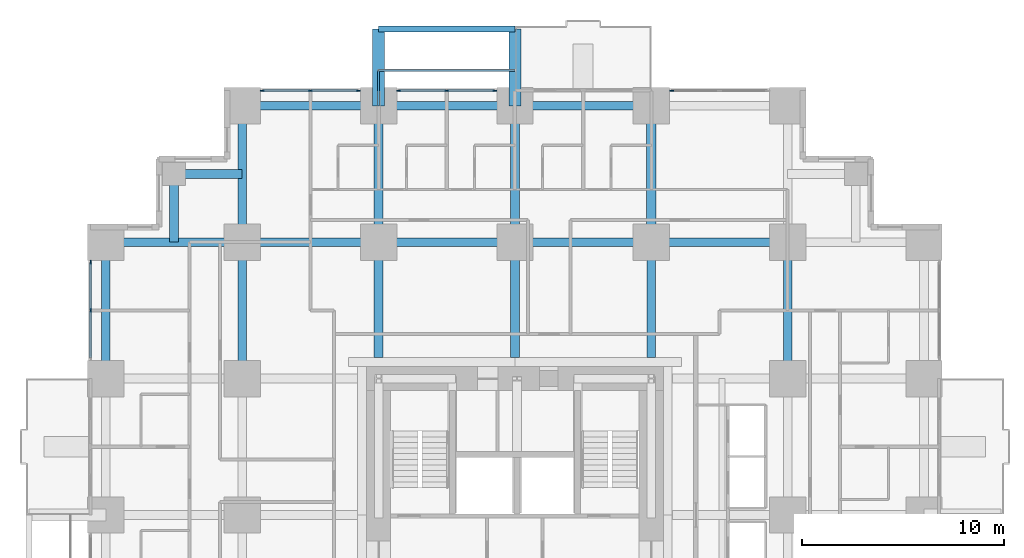
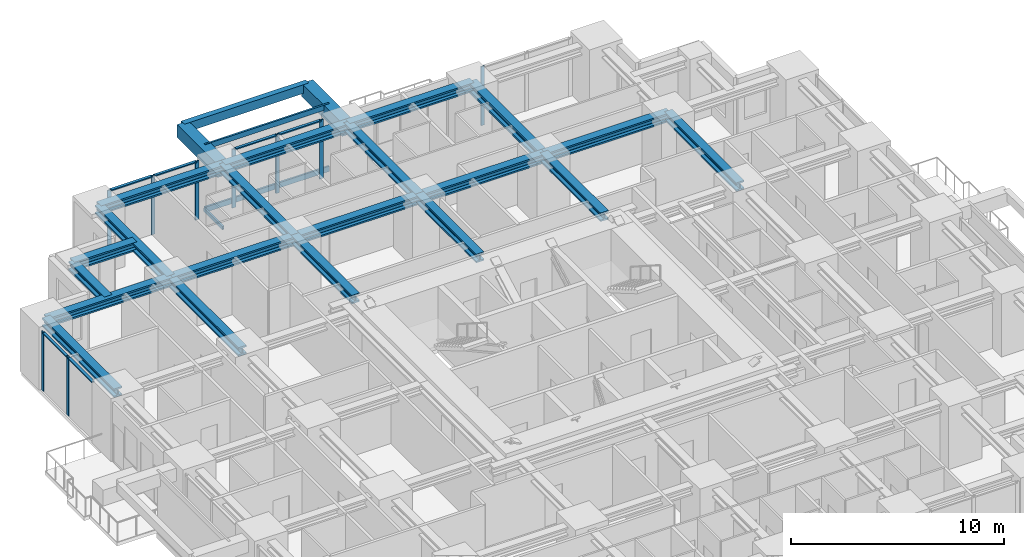
# One storey, part 5 of 14: 23 beams, 18 members, 4 elements without a shape of their own.
"""IFC4 building model written with IfcOpenShell, lengths in metres."""

from ifc_helpers import new_model, si_unit, direction, frame, origin, origin_2d, place, context, subcontext, project, spatial, rectangle, hollow_rectangle, i_section, extrude, material, material_profile, profile_set, type_object, element, aggregate, save


model = new_model("IFC4")

# Units and contexts
model_context = context("Model", 3, precision=1e-05, world=origin(), true_north=direction((0.0, 1.0)))
body_context = subcontext(model_context, "Body", "Model", "MODEL_VIEW")
ifc_project = project(units=[si_unit("LENGTHUNIT", "METRE"), si_unit("AREAUNIT", "SQUARE_METRE"), si_unit("VOLUMEUNIT", "CUBIC_METRE"), si_unit("PLANEANGLEUNIT", "RADIAN"), si_unit("MASSUNIT", "GRAM", prefix="KILO")], contexts=[model_context])

# Site, building, storey
site_placement = place(None, origin())
site = spatial("IfcSite", under=ifc_project, at=site_placement, CompositionType="ELEMENT")
building_placement = place(site_placement, origin())
building = spatial("IfcBuilding", under=site, at=building_placement, Name="Nyansa Garden Tower", CompositionType="ELEMENT")
storey_placement = place(building_placement, frame((0.0, 0.0, 64.800048828125)))
storey = spatial("IfcBuildingStorey", under=building, at=storey_placement, Name="L17", CompositionType="ELEMENT", Elevation=64.800048828125)

# Beams
ifc_material_1 = material(Name="Concrete C70/85", Category="concrete")
ifc_material_profile_1 = material_profile(ifc_material_1, rectangle(XDim=0.60009765625, YDim=0.75, at=origin_2d()), Name="RC 600x750")
ifc_profile_set_1 = profile_set([ifc_material_profile_1], Name="Concrete C70/85")
beam_type_1 = type_object("IfcBeamType", Name="Balcony cantilever beam CB1 RC 600x750", PredefinedType="BEAM", material=ifc_profile_set_1)
for number, where, z_axis, x_axis, name in (
    (1, (13.5, 40.5, 2.98486328125), (0.0, 1.0, 0.0), (-1.0, 0.0, 0.0), "Balcony cantilever beam L18"),
    (2, (20.25, 40.5, 2.98486328125), (0.0, 1.0, 0.0), (-1.0, 0.0, 0.0), "Balcony cantilever beam L18"),
):
    element("IfcBeam", number, at=place(storey_placement, frame(where, z_axis=z_axis, x_axis=x_axis)), inside=storey, type_object=beam_type_1, Name=name, PredefinedType="BEAM", context=body_context, shape_type="SweptSolid", body=[
        extrude(rectangle(XDim=0.60009765625, YDim=0.75, at=origin_2d()), origin(), (0.0, 0.0, 1.0), 3.800048828125),
    ])
ifc_material_2 = material(Name="Concrete C70/85", Category="concrete")
ifc_material_profile_2 = material_profile(ifc_material_2, rectangle(XDim=0.300048828125, YDim=0.5, at=origin_2d()), Name="RC 300x500")
ifc_profile_set_2 = profile_set([ifc_material_profile_2], Name="Concrete C70/85")
beam_type_2 = type_object("IfcBeamType", Name="Balcony edge beam BE1 RC 300x500", PredefinedType="BEAM", material=ifc_profile_set_2)
beam_1_placement = place(storey_placement, frame((13.5, 44.300048828125, 3.10986328125), z_axis=(1.0, 0.0, 0.0), x_axis=(0.0, 1.0, 0.0)))
element("IfcBeam", 3, at=beam_1_placement, inside=storey, type_object=beam_type_2, Name="Balcony edge beam L18", PredefinedType="BEAM", context=body_context, shape_type="SweptSolid", body=[
    extrude(rectangle(XDim=0.300048828125, YDim=0.5, at=origin_2d()), origin(), (0.0, 0.0, 1.0), 6.75),
])

# Curtain wall, members
ifc_material_3 = material(Name="Black anodised aluminium, dark tinted double glazing", Category="aluminium")
curtain_wall_type = type_object("IfcCurtainWallType", Name="Inner skin curtain wall ISW-A", PredefinedType="USERDEFINED", material=ifc_material_3)
curtain_wall_1_placement = place(storey_placement, origin())
curtain_wall_1 = element("IfcCurtainWall", 4, at=curtain_wall_1_placement, inside=storey, type_object=curtain_wall_type, Name="Inner skin curtain wall L17 N", ObjectType="UNITISED CURTAIN WALL", PredefinedType="USERDEFINED")
ifc_material_4 = material(Name="Black anodised aluminium", Category="aluminium")
ifc_material_profile_3 = material_profile(ifc_material_4, rectangle(XDim=0.06494140625, YDim=0.199951171875, at=origin_2d()), Name="Mullion 200x65")
ifc_profile_set_3 = profile_set([ifc_material_profile_3], Name="Black anodised aluminium")
member_type_1 = type_object("IfcMemberType", Name="Mullion ISW-A 200x65", PredefinedType="MULLION", material=ifc_profile_set_3)
member_1_placement = place(storey_placement, frame((19.25, 41.25, 0.0), z_axis=(0.0, 0.0, 1.0), x_axis=(0.0, -1.0, 0.0)))
member_1 = element("IfcMember", 5, at=member_1_placement, type_object=member_type_1, Name="ISW-A mullion 1", PredefinedType="MULLION", context=body_context, shape_type="SweptSolid", body=[
    extrude(rectangle(XDim=0.06494140625, YDim=0.199951171875, at=origin_2d()), origin(), (0.0, 0.0, 1.0), 3.375),
])
member_2_placement = place(storey_placement, frame((16.875, 41.25, 0.0), z_axis=(0.0, 0.0, 1.0), x_axis=(0.0, -1.0, 0.0)))
member_2 = element("IfcMember", 6, at=member_2_placement, type_object=member_type_1, Name="ISW-A mullion 2", PredefinedType="MULLION", context=body_context, shape_type="SweptSolid", body=[
    extrude(rectangle(XDim=0.06494140625, YDim=0.199951171875, at=origin_2d()), origin(), (0.0, 0.0, 1.0), 3.375),
])
member_3_placement = place(storey_placement, frame((14.5, 41.25, 0.0), z_axis=(0.0, 0.0, 1.0), x_axis=(0.0, -1.0, 0.0)))
member_3 = element("IfcMember", 7, at=member_3_placement, type_object=member_type_1, Name="ISW-A mullion 3", PredefinedType="MULLION", context=body_context, shape_type="SweptSolid", body=[
    extrude(rectangle(XDim=0.06494140625, YDim=0.199951171875, at=origin_2d()), origin(), (0.0, 0.0, 1.0), 3.375),
])

curtain_wall_2_placement = place(storey_placement, origin())
curtain_wall_2 = element("IfcCurtainWall", 8, at=curtain_wall_2_placement, inside=storey, type_object=curtain_wall_type, Name="Inner skin curtain wall L17 N", ObjectType="UNITISED CURTAIN WALL", PredefinedType="USERDEFINED")
member_4_placement = place(storey_placement, frame((12.5, 41.25, 0.0), z_axis=(0.0, 0.0, 1.0), x_axis=(0.0, -1.0, 0.0)))
member_4 = element("IfcMember", 9, at=member_4_placement, type_object=member_type_1, Name="ISW-A mullion 1", PredefinedType="MULLION", context=body_context, shape_type="SweptSolid", body=[
    extrude(rectangle(XDim=0.06494140625, YDim=0.199951171875, at=origin_2d()), origin(), (0.0, 0.0, 1.0), 3.375),
])
member_5_placement = place(storey_placement, frame((10.125, 41.25, 0.0), z_axis=(0.0, 0.0, 1.0), x_axis=(0.0, -1.0, 0.0)))
member_5 = element("IfcMember", 10, at=member_5_placement, type_object=member_type_1, Name="ISW-A mullion 2", PredefinedType="MULLION", context=body_context, shape_type="SweptSolid", body=[
    extrude(rectangle(XDim=0.06494140625, YDim=0.199951171875, at=origin_2d()), origin(), (0.0, 0.0, 1.0), 3.375),
])
member_6_placement = place(storey_placement, frame((7.75, 41.25, 0.0), z_axis=(0.0, 0.0, 1.0), x_axis=(0.0, -1.0, 0.0)))
member_6 = element("IfcMember", 11, at=member_6_placement, type_object=member_type_1, Name="ISW-A mullion 3", PredefinedType="MULLION", context=body_context, shape_type="SweptSolid", body=[
    extrude(rectangle(XDim=0.06494140625, YDim=0.199951171875, at=origin_2d()), origin(), (0.0, 0.0, 1.0), 3.375),
])

# Curtain wall, member
curtain_wall_3_placement = place(storey_placement, origin())
curtain_wall_3 = element("IfcCurtainWall", 12, at=curtain_wall_3_placement, inside=storey, type_object=curtain_wall_type, Name="Inner skin curtain wall L17 N", ObjectType="UNITISED CURTAIN WALL", PredefinedType="USERDEFINED")
member_7_placement = place(storey_placement, frame((28.0, 41.25, 0.0), z_axis=(0.0, 0.0, 1.0), x_axis=(0.0, -1.0, 0.0)))
member_7 = element("IfcMember", 13, at=member_7_placement, type_object=member_type_1, Name="ISW-A mullion 3", PredefinedType="MULLION", context=body_context, shape_type="SweptSolid", body=[
    extrude(rectangle(XDim=0.06494140625, YDim=0.199951171875, at=origin_2d()), origin(), (0.0, 0.0, 1.0), 3.375),
])
aggregate(curtain_wall_3, [member_7])

# Curtain wall, members
curtain_wall_4_placement = place(storey_placement, origin())
curtain_wall_4 = element("IfcCurtainWall", 14, at=curtain_wall_4_placement, inside=storey, type_object=curtain_wall_type, Name="Inner skin curtain wall L17 W", ObjectType="UNITISED CURTAIN WALL", PredefinedType="USERDEFINED")
member_8_placement = place(storey_placement, frame((-0.75, 32.75, 0.0), z_axis=(0.0, 0.0, 1.0), x_axis=(1.0, 0.0, 0.0)))
member_8 = element("IfcMember", 15, at=member_8_placement, type_object=member_type_1, Name="ISW-A mullion 1", PredefinedType="MULLION", context=body_context, shape_type="SweptSolid", body=[
    extrude(rectangle(XDim=0.06494140625, YDim=0.199951171875, at=origin_2d()), origin(), (0.0, 0.0, 1.0), 3.375),
])
member_9_placement = place(storey_placement, frame((-0.75, 30.375, 0.0), z_axis=(0.0, 0.0, 1.0), x_axis=(1.0, 0.0, 0.0)))
member_9 = element("IfcMember", 16, at=member_9_placement, type_object=member_type_1, Name="ISW-A mullion 2", PredefinedType="MULLION", context=body_context, shape_type="SweptSolid", body=[
    extrude(rectangle(XDim=0.06494140625, YDim=0.199951171875, at=origin_2d()), origin(), (0.0, 0.0, 1.0), 3.375),
])

# Members
ifc_material_5 = material(Name="Steel S355, black powder coated", Category="steel")
ifc_material_profile_4 = material_profile(ifc_material_5, hollow_rectangle(XDim=0.10009765625, YDim=0.199951171875, WallThickness=0.008056640625, at=origin_2d()), Name="RHS 200x100x8")
ifc_profile_set_4 = profile_set([ifc_material_profile_4], Name="Steel S355, black powder coated")
member_type_2 = type_object("IfcMemberType", Name="Outer skin bracket arm RHS 200x100x8", PredefinedType="USERDEFINED", material=ifc_profile_set_4)
member_10_placement = place(storey_placement, frame((13.5, 40.5, -0.375), z_axis=(0.0, 1.0, 0.0), x_axis=(-1.0, 0.0, 0.0)))
element("IfcMember", 17, at=member_10_placement, inside=storey, type_object=member_type_2, Name="Outer skin bracket arm", ObjectType="OUTER SKIN BRACKET", PredefinedType="USERDEFINED", context=body_context, shape_type="SweptSolid", body=[
    extrude(hollow_rectangle(XDim=0.10009765625, YDim=0.199951171875, WallThickness=0.008056640625, at=origin_2d()), origin(), (0.0, 0.0, 1.0), 1.75),
])
ifc_material_6 = material(Name="Steel S355, black powder coated", Category="steel")
ifc_material_profile_5 = material_profile(ifc_material_6, hollow_rectangle(XDim=0.10009765625, YDim=0.300048828125, WallThickness=0.010009765625, at=origin_2d()), Name="RHS 300x100x10")
ifc_profile_set_5 = profile_set([ifc_material_profile_5], Name="Steel S355, black powder coated")
member_type_3 = type_object("IfcMemberType", Name="Outer skin rail RHS 300x100x10", PredefinedType="USERDEFINED", material=ifc_profile_set_5)
for number, where, z_axis, x_axis, name in (
    (18, (13.5, 42.25, -0.375), (1.0, 0.0, 0.0), (0.0, 1.0, 0.0), "Outer skin rail L17"),
    (19, (13.5, 42.25, 3.224853515625), (1.0, 0.0, 0.0), (0.0, 1.0, 0.0), "Outer skin rail L17 head"),
):
    element("IfcMember", number, at=place(storey_placement, frame(where, z_axis=z_axis, x_axis=x_axis)), inside=storey, type_object=member_type_3, Name=name, ObjectType="OUTER SKIN RAIL", PredefinedType="USERDEFINED", context=body_context, shape_type="SweptSolid", body=[
        extrude(hollow_rectangle(XDim=0.10009765625, YDim=0.300048828125, WallThickness=0.010009765625, at=origin_2d()), origin(), (0.0, 0.0, 1.0), 6.75),
    ])

# Beams
ifc_material_7 = material(Name="Steel S355", Category="steel")
ifc_material_profile_6 = material_profile(ifc_material_7, i_section(OverallWidth=0.4541015625, OverallDepth=0.569091796875, WebThickness=0.077880859375, FlangeThickness=0.125, FilletRadius=0.014892578125, at=origin_2d()), Name="HD 400x1086")
ifc_profile_set_6 = profile_set([ifc_material_profile_6], Name="Steel S355")
beam_type_3 = type_object("IfcBeamType", Name="Steel beam SBA1-1086 HD 400x1086", PredefinedType="BEAM", material=ifc_profile_set_6)
beam_2_placement = place(storey_placement, frame((27.0, 33.75, 3.09033203125), z_axis=(0.0, 1.0, 0.0), x_axis=(-1.0, 0.0, 0.0)))
element("IfcBeam", 20, at=beam_2_placement, inside=storey, type_object=beam_type_3, Name="Steel beam 6/J-6/K L18", PredefinedType="BEAM", context=body_context, shape_type="SweptSolid", body=[
    extrude(i_section(OverallWidth=0.4541015625, OverallDepth=0.569091796875, WebThickness=0.077880859375, FlangeThickness=0.125, FilletRadius=0.014892578125, at=origin_2d()), origin(), (0.0, 0.0, 1.0), 6.75),
])
ifc_material_8 = material(Name="Steel S355", Category="steel")
ifc_material_profile_7 = material_profile(ifc_material_8, i_section(OverallWidth=0.431884765625, OverallDepth=0.498046875, WebThickness=0.0556640625, FlangeThickness=0.0888671875, FilletRadius=0.014892578125, at=origin_2d()), Name="HD 400x744")
ifc_profile_set_7 = profile_set([ifc_material_profile_7], Name="Steel S355")
beam_type_4 = type_object("IfcBeamType", Name="Steel beam SBA1-744 HD 400x744", PredefinedType="BEAM", material=ifc_profile_set_7)
for number, where, z_axis, x_axis, name in (
    (21, (0.0, 33.75, 3.1259765625), (1.0, 0.0, 0.0), (0.0, 1.0, 0.0), "Steel beam 2/J-3/J L18"),
    (22, (6.75, 27.0, 3.1259765625), (0.0, 1.0, 0.0), (-1.0, 0.0, 0.0), "Steel beam 3/H-3/J L18"),
    (23, (6.75, 33.75, 3.1259765625), (0.0, 1.0, 0.0), (-1.0, 0.0, 0.0), "Steel beam 3/J-3/K L18"),
    (24, (6.75, 33.75, 3.1259765625), (1.0, 0.0, 0.0), (0.0, 1.0, 0.0), "Steel beam 3/J-4/J L18"),
):
    element("IfcBeam", number, at=place(storey_placement, frame(where, z_axis=z_axis, x_axis=x_axis)), inside=storey, type_object=beam_type_4, Name=name, PredefinedType="BEAM", context=body_context, shape_type="SweptSolid", body=[
        extrude(i_section(OverallWidth=0.431884765625, OverallDepth=0.498046875, WebThickness=0.0556640625, FlangeThickness=0.0888671875, FilletRadius=0.014892578125, at=origin_2d()), origin(), (0.0, 0.0, 1.0), 6.75),
    ])
beam_3_placement = place(storey_placement, frame((13.5, 28.050048828125, 3.1259765625), z_axis=(0.0, 1.0, 0.0), x_axis=(-1.0, 0.0, 0.0)))
element("IfcBeam", 25, at=beam_3_placement, inside=storey, type_object=beam_type_4, Name="Steel beam 4/28.050-4/J L18", PredefinedType="BEAM", context=body_context, shape_type="SweptSolid", body=[
    extrude(i_section(OverallWidth=0.431884765625, OverallDepth=0.498046875, WebThickness=0.0556640625, FlangeThickness=0.0888671875, FilletRadius=0.014892578125, at=origin_2d()), origin(), (0.0, 0.0, 1.0), 5.699951171875),
])
for number, where, z_axis, x_axis, name in (
    (26, (13.5, 33.75, 3.1259765625), (0.0, 1.0, 0.0), (-1.0, 0.0, 0.0), "Steel beam 4/J-4/K L18"),
    (27, (13.5, 33.75, 3.1259765625), (1.0, 0.0, 0.0), (0.0, 1.0, 0.0), "Steel beam 4/J-5/J L18"),
):
    element("IfcBeam", number, at=place(storey_placement, frame(where, z_axis=z_axis, x_axis=x_axis)), inside=storey, type_object=beam_type_4, Name=name, PredefinedType="BEAM", context=body_context, shape_type="SweptSolid", body=[
        extrude(i_section(OverallWidth=0.431884765625, OverallDepth=0.498046875, WebThickness=0.0556640625, FlangeThickness=0.0888671875, FilletRadius=0.014892578125, at=origin_2d()), origin(), (0.0, 0.0, 1.0), 6.75),
    ])
beam_4_placement = place(storey_placement, frame((20.25, 28.050048828125, 3.1259765625), z_axis=(0.0, 1.0, 0.0), x_axis=(-1.0, 0.0, 0.0)))
element("IfcBeam", 28, at=beam_4_placement, inside=storey, type_object=beam_type_4, Name="Steel beam 5/28.050-5/J L18", PredefinedType="BEAM", context=body_context, shape_type="SweptSolid", body=[
    extrude(i_section(OverallWidth=0.431884765625, OverallDepth=0.498046875, WebThickness=0.0556640625, FlangeThickness=0.0888671875, FilletRadius=0.014892578125, at=origin_2d()), origin(), (0.0, 0.0, 1.0), 5.699951171875),
])
for number, where, z_axis, x_axis, name in (
    (29, (20.25, 33.75, 3.1259765625), (0.0, 1.0, 0.0), (-1.0, 0.0, 0.0), "Steel beam 5/J-5/K L18"),
    (30, (20.25, 33.75, 3.1259765625), (1.0, 0.0, 0.0), (0.0, 1.0, 0.0), "Steel beam 5/J-6/J L18"),
):
    element("IfcBeam", number, at=place(storey_placement, frame(where, z_axis=z_axis, x_axis=x_axis)), inside=storey, type_object=beam_type_4, Name=name, PredefinedType="BEAM", context=body_context, shape_type="SweptSolid", body=[
        extrude(i_section(OverallWidth=0.431884765625, OverallDepth=0.498046875, WebThickness=0.0556640625, FlangeThickness=0.0888671875, FilletRadius=0.014892578125, at=origin_2d()), origin(), (0.0, 0.0, 1.0), 6.75),
    ])
beam_5_placement = place(storey_placement, frame((27.0, 28.050048828125, 3.1259765625), z_axis=(0.0, 1.0, 0.0), x_axis=(-1.0, 0.0, 0.0)))
element("IfcBeam", 31, at=beam_5_placement, inside=storey, type_object=beam_type_4, Name="Steel beam 6/28.050-6/J L18", PredefinedType="BEAM", context=body_context, shape_type="SweptSolid", body=[
    extrude(i_section(OverallWidth=0.431884765625, OverallDepth=0.498046875, WebThickness=0.0556640625, FlangeThickness=0.0888671875, FilletRadius=0.014892578125, at=origin_2d()), origin(), (0.0, 0.0, 1.0), 5.699951171875),
])
for number, where, z_axis, x_axis, name in (
    (32, (27.0, 33.75, 3.1259765625), (1.0, 0.0, 0.0), (0.0, 1.0, 0.0), "Steel beam 6/J-7/J L18"),
    (33, (33.75, 27.0, 3.1259765625), (0.0, 1.0, 0.0), (-1.0, 0.0, 0.0), "Steel beam 7/H-7/J L18"),
):
    element("IfcBeam", number, at=place(storey_placement, frame(where, z_axis=z_axis, x_axis=x_axis)), inside=storey, type_object=beam_type_4, Name=name, PredefinedType="BEAM", context=body_context, shape_type="SweptSolid", body=[
        extrude(i_section(OverallWidth=0.431884765625, OverallDepth=0.498046875, WebThickness=0.0556640625, FlangeThickness=0.0888671875, FilletRadius=0.014892578125, at=origin_2d()), origin(), (0.0, 0.0, 1.0), 6.75),
    ])
ifc_material_9 = material(Name="Steel S355", Category="steel")
ifc_material_profile_8 = material_profile(ifc_material_9, i_section(OverallWidth=0.431884765625, OverallDepth=0.498046875, WebThickness=0.0556640625, FlangeThickness=0.0888671875, FilletRadius=0.014892578125, at=origin_2d()), Name="HD 400x744")
ifc_profile_set_8 = profile_set([ifc_material_profile_8], Name="Steel S355")
beam_type_5 = type_object("IfcBeamType", Name="Steel beam SEBA-744 HD 400x744", PredefinedType="BEAM", material=ifc_profile_set_8)
for number, where, z_axis, x_axis, name in (
    (34, (0.0, 27.0, 3.1259765625), (0.0, 1.0, 0.0), (-1.0, 0.0, 0.0), "Steel edge beam 2/H-2/J L18"),
    (35, (6.75, 40.5, 3.1259765625), (1.0, 0.0, 0.0), (0.0, 1.0, 0.0), "Steel edge beam 3/K-4/K L18"),
    (36, (13.5, 40.5, 3.1259765625), (1.0, 0.0, 0.0), (0.0, 1.0, 0.0), "Steel edge beam 4/K-5/K L18"),
    (37, (20.25, 40.5, 3.1259765625), (1.0, 0.0, 0.0), (0.0, 1.0, 0.0), "Steel edge beam 5/K-6/K L18"),
):
    element("IfcBeam", number, at=place(storey_placement, frame(where, z_axis=z_axis, x_axis=x_axis)), inside=storey, type_object=beam_type_5, Name=name, PredefinedType="BEAM", context=body_context, shape_type="SweptSolid", body=[
        extrude(i_section(OverallWidth=0.431884765625, OverallDepth=0.498046875, WebThickness=0.0556640625, FlangeThickness=0.0888671875, FilletRadius=0.014892578125, at=origin_2d()), origin(), (0.0, 0.0, 1.0), 6.75),
    ])
ifc_material_10 = material(Name="Steel S355", Category="steel")
ifc_material_profile_9 = material_profile(ifc_material_10, i_section(OverallWidth=0.431884765625, OverallDepth=0.498046875, WebThickness=0.0556640625, FlangeThickness=0.0888671875, FilletRadius=0.014892578125, at=origin_2d()), Name="HD 400x744")
ifc_profile_set_9 = profile_set([ifc_material_profile_9], Name="Steel S355")
beam_type_6 = type_object("IfcBeamType", Name="Steel beam SSB1-744 HD 400x744", PredefinedType="BEAM", material=ifc_profile_set_9)
for number, where, z_axis, x_axis, name in (
    (38, (3.375, 37.125, 3.1259765625), (0.0, -1.0, 0.0), (1.0, 0.0, 0.0), "Steel step beam 3.375/37.125 L18"),
    (39, (3.375, 37.125, 3.1259765625), (1.0, 0.0, 0.0), (0.0, 1.0, 0.0), "Steel step beam 3.375/37.125 L18"),
):
    element("IfcBeam", number, at=place(storey_placement, frame(where, z_axis=z_axis, x_axis=x_axis)), inside=storey, type_object=beam_type_6, Name=name, PredefinedType="BEAM", context=body_context, shape_type="SweptSolid", body=[
        extrude(i_section(OverallWidth=0.431884765625, OverallDepth=0.498046875, WebThickness=0.0556640625, FlangeThickness=0.0888671875, FilletRadius=0.014892578125, at=origin_2d()), origin(), (0.0, 0.0, 1.0), 3.375),
    ])

# Member
ifc_material_11 = material(Name="Black anodised aluminium", Category="aluminium")
ifc_material_profile_10 = material_profile(ifc_material_11, rectangle(XDim=0.14990234375, YDim=0.06494140625, at=origin_2d()), Name="Transom 150x65")
ifc_profile_set_10 = profile_set([ifc_material_profile_10], Name="Black anodised aluminium")
member_type_4 = type_object("IfcMemberType", Name="Transom ISW-A 150x65", PredefinedType="USERDEFINED", material=ifc_profile_set_10)
member_11_placement = place(storey_placement, frame((19.217529296875, 41.25, 3.342529296875), z_axis=(-1.0, 0.0, 0.0), x_axis=(0.0, -1.0, 0.0)))
member_11 = element("IfcMember", 40, at=member_11_placement, type_object=member_type_4, Name="ISW-A transom 1", ObjectType="TRANSOM", PredefinedType="USERDEFINED", context=body_context, shape_type="SweptSolid", body=[
    extrude(rectangle(XDim=0.14990234375, YDim=0.06494140625, at=origin_2d()), origin(), (0.0, 0.0, 1.0), 2.31005859375),
])

member_12_placement = place(storey_placement, frame((16.842529296875, 41.25, 3.342529296875), z_axis=(-1.0, 0.0, 0.0), x_axis=(0.0, -1.0, 0.0)))
member_12 = element("IfcMember", 41, at=member_12_placement, type_object=member_type_4, Name="ISW-A transom 2", ObjectType="TRANSOM", PredefinedType="USERDEFINED", context=body_context, shape_type="SweptSolid", body=[
    extrude(rectangle(XDim=0.14990234375, YDim=0.06494140625, at=origin_2d()), origin(), (0.0, 0.0, 1.0), 2.31005859375),
])

aggregate(curtain_wall_1, [member_1, member_2, member_3, member_11, member_12])

member_13_placement = place(storey_placement, frame((12.467529296875, 41.25, 3.342529296875), z_axis=(-1.0, 0.0, 0.0), x_axis=(0.0, -1.0, 0.0)))
member_13 = element("IfcMember", 42, at=member_13_placement, type_object=member_type_4, Name="ISW-A transom 1", ObjectType="TRANSOM", PredefinedType="USERDEFINED", context=body_context, shape_type="SweptSolid", body=[
    extrude(rectangle(XDim=0.14990234375, YDim=0.06494140625, at=origin_2d()), origin(), (0.0, 0.0, 1.0), 2.31005859375),
])

member_14_placement = place(storey_placement, frame((10.092529296875, 41.25, 3.342529296875), z_axis=(-1.0, 0.0, 0.0), x_axis=(0.0, -1.0, 0.0)))
member_14 = element("IfcMember", 43, at=member_14_placement, type_object=member_type_4, Name="ISW-A transom 2", ObjectType="TRANSOM", PredefinedType="USERDEFINED", context=body_context, shape_type="SweptSolid", body=[
    extrude(rectangle(XDim=0.14990234375, YDim=0.06494140625, at=origin_2d()), origin(), (0.0, 0.0, 1.0), 2.31005859375),
])

aggregate(curtain_wall_2, [member_4, member_5, member_6, member_13, member_14])

member_15_placement = place(storey_placement, frame((-0.75, 32.717529296875, 3.342529296875), z_axis=(0.0, -1.0, 0.0), x_axis=(1.0, 0.0, 0.0)))
member_15 = element("IfcMember", 44, at=member_15_placement, type_object=member_type_4, Name="ISW-A transom 1", ObjectType="TRANSOM", PredefinedType="USERDEFINED", context=body_context, shape_type="SweptSolid", body=[
    extrude(rectangle(XDim=0.14990234375, YDim=0.06494140625, at=origin_2d()), origin(), (0.0, 0.0, 1.0), 2.31005859375),
])

member_16_placement = place(storey_placement, frame((-0.75, 30.342529296875, 3.342529296875), z_axis=(0.0, -1.0, 0.0), x_axis=(1.0, 0.0, 0.0)))
member_16 = element("IfcMember", 45, at=member_16_placement, type_object=member_type_4, Name="ISW-A transom 2", ObjectType="TRANSOM", PredefinedType="USERDEFINED", context=body_context, shape_type="SweptSolid", body=[
    extrude(rectangle(XDim=0.14990234375, YDim=0.06494140625, at=origin_2d()), origin(), (0.0, 0.0, 1.0), 2.31005859375),
])

aggregate(curtain_wall_4, [member_8, member_9, member_15, member_16])

save(model, "model.ifc")
